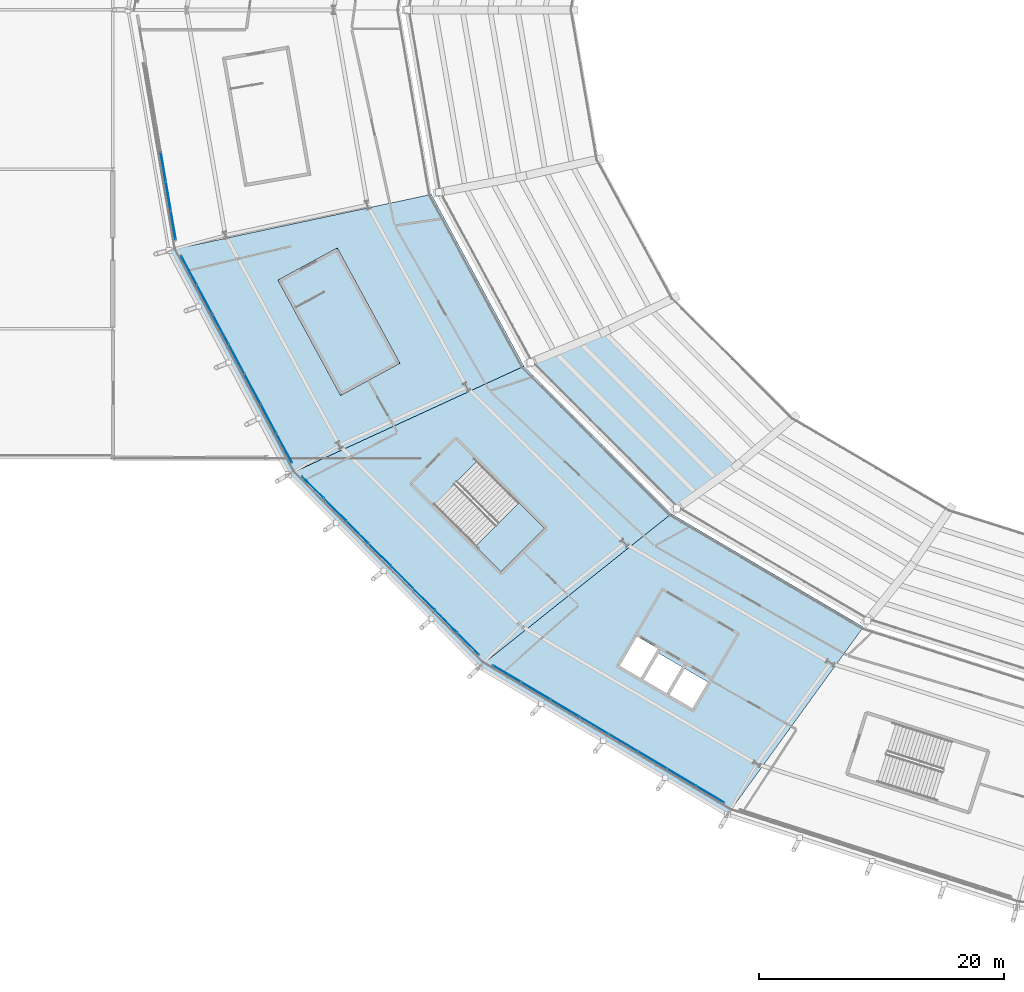
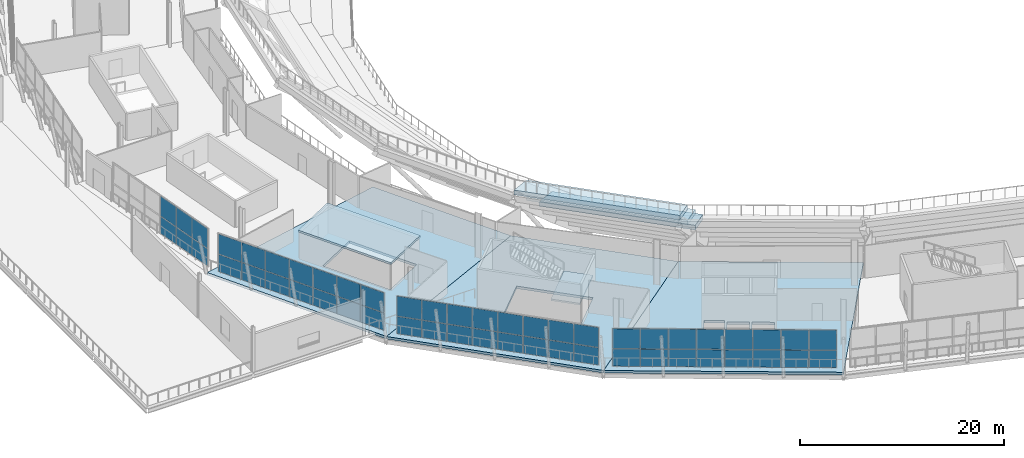
# One storey, part 62 of 126: 52 plates, 8 slabs, 5 elements without a shape of their own.
"""IFC4 building model written with IfcOpenShell, lengths in metres."""

from ifc_helpers import new_model, si_unit, direction, frame, origin, origin_2d, place, context, subcontext, project, spatial, polyline, rectangle, outline, extrude, material, layer, layer_set, type_object, element, aggregate, save


model = new_model("IFC4")

# Units and contexts
model_context = context("Model", 3, precision=1e-05, world=origin(), true_north=direction((0.0, 1.0)))
body_context = subcontext(model_context, "Body", "Model", "MODEL_VIEW")
ifc_project = project(units=[si_unit("LENGTHUNIT", "METRE"), si_unit("AREAUNIT", "SQUARE_METRE"), si_unit("VOLUMEUNIT", "CUBIC_METRE"), si_unit("PLANEANGLEUNIT", "RADIAN"), si_unit("MASSUNIT", "GRAM", prefix="KILO")], contexts=[model_context])

# Site, building, storey
site_placement = place(None, origin())
site = spatial("IfcSite", under=ifc_project, at=site_placement, CompositionType="ELEMENT")
building_placement = place(site_placement, origin())
building = spatial("IfcBuilding", under=site, at=building_placement, Name="Zlatoyarsky Gate Stadium", CompositionType="ELEMENT")
storey_placement = place(building_placement, frame((0.0, 0.0, 20.800048828125)))
storey = spatial("IfcBuildingStorey", under=building, at=storey_placement, Name="L04", CompositionType="ELEMENT", Elevation=20.800048828125)

# Curtain wall, plates
ifc_material_1 = material(Name="Thermally broken anodised aluminium curtain wall", Category="aluminium")
curtain_wall_type_1 = type_object("IfcCurtainWallType", Name="MONUMENTAL ARCHED GATE GLAZING LOWER", PredefinedType="USERDEFINED", material=ifc_material_1)
curtain_wall_1_placement = place(storey_placement, origin())
curtain_wall_1 = element("IfcCurtainWall", 1, at=curtain_wall_1_placement, inside=storey, type_object=curtain_wall_type_1, Name="Curtain wall CW-L04-12", ObjectType="ARCHED GATE GLAZING", PredefinedType="USERDEFINED")
ifc_material_2 = material(Name="Triple-glazed argon low-e architectural glass", Category="glass")
ifc_layer_1 = layer(ifc_material_2, 0.0458984375)
ifc_layer_set_1 = layer_set([ifc_layer_1], Name="Triple-glazed argon low-e architectural glass")
plate_type_1 = type_object("IfcPlateType", Name="ACOUSTIC LAMINATED GATE GLAZING PANEL 46", PredefinedType="CURTAIN_PANEL", material=ifc_layer_set_1)
plate_1_placement = place(storey_placement, frame((16.107421875, 67.212158203125, 0.074951171875), z_axis=(0.0, 0.0, 1.0), x_axis=(0.167822419114, -0.985817242516, 0.0)))
plate_1 = element("IfcPlate", 2, at=plate_1_placement, type_object=plate_type_1, Name="CW-AG1 panel 4.1", PredefinedType="CURTAIN_PANEL", context=body_context, shape_type="SweptSolid", body=[
    extrude(rectangle(XDim=2.35986328125, YDim=0.0458984375, at=origin_2d()), origin(), (0.0, 0.0, 1.0), 2.03759765625),
])
plate_2_placement = place(storey_placement, frame((16.107421875, 67.212158203125, 2.1875), z_axis=(0.0, 0.0, 1.0), x_axis=(0.167822419114, -0.985817242516, 0.0)))
plate_2 = element("IfcPlate", 3, at=plate_2_placement, type_object=plate_type_1, Name="CW-AG1 panel 4.2", PredefinedType="CURTAIN_PANEL", context=body_context, shape_type="SweptSolid", body=[
    extrude(rectangle(XDim=2.35986328125, YDim=0.0458984375, at=origin_2d()), origin(), (0.0, 0.0, 1.0), 2.357421875),
])
plate_3_placement = place(storey_placement, frame((16.515869140625, 64.811767578125, 0.074951171875), z_axis=(0.0, 0.0, 1.0), x_axis=(0.167822419114, -0.985817242516, 0.0)))
plate_3 = element("IfcPlate", 4, at=plate_3_placement, type_object=plate_type_1, Name="CW-AG1 panel 5.1", PredefinedType="CURTAIN_PANEL", context=body_context, shape_type="SweptSolid", body=[
    extrude(rectangle(XDim=2.35986328125, YDim=0.0458984375, at=origin_2d()), origin(), (0.0, 0.0, 1.0), 2.03759765625),
])
plate_4_placement = place(storey_placement, frame((16.515869140625, 64.811767578125, 2.1875), z_axis=(0.0, 0.0, 1.0), x_axis=(0.167822419114, -0.985817242516, 0.0)))
plate_4 = element("IfcPlate", 5, at=plate_4_placement, type_object=plate_type_1, Name="CW-AG1 panel 5.2", PredefinedType="CURTAIN_PANEL", context=body_context, shape_type="SweptSolid", body=[
    extrude(rectangle(XDim=2.35986328125, YDim=0.0458984375, at=origin_2d()), origin(), (0.0, 0.0, 1.0), 2.357421875),
])
plate_5_placement = place(storey_placement, frame((16.92138671875, 62.429931640625, 0.074951171875), z_axis=(0.0, 0.0, 1.0), x_axis=(0.167822419114, -0.985817242516, 0.0)))
plate_5 = element("IfcPlate", 6, at=plate_5_placement, type_object=plate_type_1, Name="CW-AG1 panel 6.1", PredefinedType="CURTAIN_PANEL", context=body_context, shape_type="SweptSolid", body=[
    extrude(rectangle(XDim=2.322265625, YDim=0.0458984375, at=origin_2d()), origin(), (0.0, 0.0, 1.0), 2.03759765625),
])
plate_6_placement = place(storey_placement, frame((16.92138671875, 62.429931640625, 2.1875), z_axis=(0.0, 0.0, 1.0), x_axis=(0.167822419114, -0.985817242516, 0.0)))
plate_6 = element("IfcPlate", 7, at=plate_6_placement, type_object=plate_type_1, Name="CW-AG1 panel 6.2", PredefinedType="CURTAIN_PANEL", context=body_context, shape_type="SweptSolid", body=[
    extrude(rectangle(XDim=2.322265625, YDim=0.0458984375, at=origin_2d()), origin(), (0.0, 0.0, 1.0), 2.357421875),
])
aggregate(curtain_wall_1, [plate_1, plate_2, plate_3, plate_4, plate_5, plate_6])

# Slabs
ifc_material_3 = material(Name="Concrete C40/50", Category="concrete")
ifc_layer_2 = layer(ifc_material_3, 0.300048828125)
ifc_layer_set_2 = layer_set([ifc_layer_2], Name="Concrete C40/50")
slab_type_1 = type_object("IfcSlabType", Name="CONCRETE CONCOURSE SLAB 300", PredefinedType="FLOOR", material=ifc_layer_set_2)
slab_1_placement = place(storey_placement, frame((0.0, 0.0, -0.300048828125)))
element("IfcSlab", 8, at=slab_1_placement, inside=storey, type_object=slab_type_1, Name="L04 bowl sector 13 slab", PredefinedType="FLOOR", context=body_context, shape_type="SweptSolid", body=[
    extrude(outline(polyline([(45.528564453125, 50.949951171875), (26.3291015625, 42.115234375), (16.561767578125, 60.389404296875), (37.97607421875, 64.962646484375), (45.528564453125, 50.949951171875)]), holes=[polyline([(26.969482421875, 55.712646484375), (30.66552734375, 48.90087890625), (35.060302734375, 51.28515625), (31.364501953125, 58.09716796875), (26.969482421875, 55.712646484375)])]), origin(), (0.0, 0.0, 1.0), 0.300048828125),
])
slab_2_placement = place(storey_placement, frame((0.0, 0.0, -0.300048828125)))
element("IfcSlab", 9, at=slab_2_placement, inside=storey, type_object=slab_type_1, Name="L04 bowl sector 14 slab", PredefinedType="FLOOR", context=body_context, shape_type="SweptSolid", body=[
    extrude(outline(polyline([(57.542724609375, 38.9169921875), (41.866455078125, 26.4228515625), (26.3291015625, 42.115234375), (45.528564453125, 50.949951171875), (57.542724609375, 38.9169921875)]), holes=[polyline([(38.171875, 39.652587890625), (43.665771484375, 34.1865234375), (47.1923828125, 37.731201171875), (41.6982421875, 43.197265625), (38.171875, 39.652587890625)])]), origin(), (0.0, 0.0, 1.0), 0.300048828125),
])
slab_3_placement = place(storey_placement, frame((0.0, 0.0, -0.300048828125)))
element("IfcSlab", 10, at=slab_3_placement, inside=storey, type_object=slab_type_1, Name="L04 bowl sector 15 slab", PredefinedType="FLOOR", context=body_context, shape_type="SweptSolid", body=[
    extrude(outline(polyline([(73.199951171875, 29.683837890625), (62.115234375, 14.381591796875), (41.866455078125, 26.4228515625), (57.542724609375, 38.9169921875), (73.199951171875, 29.683837890625)]), holes=[polyline([(57.36669921875, 24.13818359375), (59.264892578125, 23.0263671875), (60.528564453125, 25.183349609375), (58.63037109375, 26.29541015625), (57.36669921875, 24.13818359375)]), polyline([(55.252685546875, 25.376708984375), (57.15087890625, 24.2646484375), (58.41455078125, 26.421875), (56.516357421875, 27.53369140625), (55.252685546875, 25.376708984375)]), polyline([(53.311279296875, 26.513916015625), (55.037109375, 25.5029296875), (56.452392578125, 27.9189453125), (54.7265625, 28.929931640625), (53.311279296875, 26.513916015625)])]), origin(), (0.0, 0.0, 1.0), 0.300048828125),
])
ifc_layer_3 = layer(ifc_material_3, 0.239990234375)
ifc_layer_set_3 = layer_set([ifc_layer_3], Name="Concrete C40/50")
slab_type_2 = type_object("IfcSlabType", Name="CONCRETE CORE TOP CAP SLAB 240", PredefinedType="ROOF", material=ifc_layer_set_3)
slab_4_placement = place(storey_placement, frame((0.0, 0.0, 3.199951171875)))
element("IfcSlab", 11, at=slab_4_placement, inside=storey, type_object=slab_type_2, Name="ST-15 stair headhouse roof cap", PredefinedType="ROOF", context=body_context, shape_type="SweptSolid", body=[
    extrude(outline(polyline([(25.462158203125, 57.966796875), (30.56494140625, 48.561767578125), (35.399169921875, 51.184814453125), (30.296630859375, 60.589599609375), (25.462158203125, 57.966796875)])), origin(), (0.0, 0.0, 1.0), 0.239990234375),
])

# Stair, slab
stair_type = type_object("IfcStairType", Name="CONCRETE DOGLEG EXIT STAIR H5400", PredefinedType="TWO_STRAIGHT_RUN_STAIR", material=ifc_material_3)
stair_placement = place(storey_placement, origin())
stair = element("IfcStair", 12, at=stair_placement, inside=storey, type_object=stair_type, Name="L04 Exit Stair ST-08", PredefinedType="TWO_STRAIGHT_RUN_STAIR")
ifc_layer_4 = layer(ifc_material_3, 0.199951171875)
ifc_layer_set_4 = layer_set([ifc_layer_4], Name="Concrete C40/50")
slab_type_3 = type_object("IfcSlabType", Name="CONCRETE STAIR LANDING SLAB 200", PredefinedType="LANDING", material=ifc_layer_set_4)
slab_5_placement = place(storey_placement, frame((0.0, 0.0, 2.5)))
slab_5 = element("IfcSlab", 13, at=slab_5_placement, type_object=slab_type_3, Name="ST-DG54 landing 1", PredefinedType="LANDING", context=body_context, shape_type="SweptSolid", body=[
    extrude(outline(polyline([(41.574462890625, 36.267333984375), (43.665771484375, 34.1865234375), (47.1923828125, 37.73095703125), (45.10107421875, 39.811767578125), (41.574462890625, 36.267333984375)])), origin(), (0.0, 0.0, 1.0), 0.199951171875),
])
aggregate(stair, [slab_5])

# Slabs
ifc_material_4 = material(Name="Precast concrete C40/50", Category="concrete")
ifc_layer_5 = layer(ifc_material_4, 0.56005859375)
ifc_layer_set_5 = layer_set([ifc_layer_5], Name="Precast concrete C40/50")
slab_type_4 = type_object("IfcSlabType", Name="PRECAST UPPER SEATING TIER UNIT 560", PredefinedType="USERDEFINED", material=ifc_layer_set_5)
slab_6_placement = place(storey_placement, frame((0.0, 0.0, 0.739990234375)))
element("IfcSlab", 14, at=slab_6_placement, inside=storey, type_object=slab_type_4, Name="Upper seating tier sector 14 row 4", ObjectType="SEATING TIER", PredefinedType="USERDEFINED", context=body_context, shape_type="SweptSolid", body=[
    extrude(outline(polyline([(51.893798828125, 53.875), (49.9453125, 53.0), (61.14892578125, 41.816162109375), (62.739990234375, 43.0537109375), (51.893798828125, 53.875)])), origin(), (0.0, 0.0, 1.0), 0.56005859375),
])
slab_7_placement = place(storey_placement, frame((0.0, 0.0, 2.639892578125)))
element("IfcSlab", 15, at=slab_7_placement, inside=storey, type_object=slab_type_4, Name="Upper seating tier sector 14 row 5", ObjectType="SEATING TIER", PredefinedType="USERDEFINED", context=body_context, shape_type="SweptSolid", body=[
    extrude(outline(polyline([(49.9453125, 53.0), (47.99658203125, 52.125), (59.55810546875, 40.578857421875), (61.14892578125, 41.816162109375), (49.9453125, 53.0)])), origin(), (0.0, 0.0, 1.0), 0.56005859375),
])
slab_8_placement = place(storey_placement, frame((0.0, 0.0, 4.5400390625)))
element("IfcSlab", 16, at=slab_8_placement, inside=storey, type_object=slab_type_4, Name="Upper seating tier sector 14 row 6", ObjectType="SEATING TIER", PredefinedType="USERDEFINED", context=body_context, shape_type="SweptSolid", body=[
    extrude(outline(polyline([(47.99658203125, 52.125), (46.048095703125, 51.25), (57.967041015625, 39.34130859375), (59.55810546875, 40.578857421875), (47.99658203125, 52.125)])), origin(), (0.0, 0.0, 1.0), 0.559814453125),
])

# Curtain wall, plates
curtain_wall_type_2 = type_object("IfcCurtainWallType", Name="UNITISED MEDIA RING GLAZING L04", PredefinedType="USERDEFINED", material=ifc_material_1)
curtain_wall_2_placement = place(storey_placement, origin())
curtain_wall_2 = element("IfcCurtainWall", 17, at=curtain_wall_2_placement, inside=storey, type_object=curtain_wall_type_2, Name="Curtain wall CW-L04-13", ObjectType="UNITISED GLAZING", PredefinedType="USERDEFINED")
ifc_layer_6 = layer(ifc_material_2, 0.0380859375)
ifc_layer_set_6 = layer_set([ifc_layer_6], Name="Triple-glazed argon low-e architectural glass")
plate_type_2 = type_object("IfcPlateType", Name="TRIPLE GLAZED LOW E CURTAIN PANEL 38", PredefinedType="CURTAIN_PANEL", material=ifc_layer_set_6)
plate_7_placement = place(storey_placement, frame((18.201416015625, 58.77197265625, 0.06494140625), z_axis=(0.0, 0.0, 1.0), x_axis=(0.472144962966, -0.881520920878, 0.0)))
plate_7 = element("IfcPlate", 18, at=plate_7_placement, type_object=plate_type_2, Name="CW-UG4 panel 1.1", PredefinedType="CURTAIN_PANEL", context=body_context, shape_type="SweptSolid", body=[
    extrude(rectangle(XDim=2.65087890625, YDim=0.0380859375, at=origin_2d()), origin(), (0.0, 0.0, 1.0), 2.052490234375),
])
plate_8_placement = place(storey_placement, frame((18.201416015625, 58.77197265625, 2.182373046875), z_axis=(0.0, 0.0, 1.0), x_axis=(0.472144962966, -0.881520920878, 0.0)))
plate_8 = element("IfcPlate", 19, at=plate_8_placement, type_object=plate_type_2, Name="CW-UG4 panel 1.2", PredefinedType="CURTAIN_PANEL", context=body_context, shape_type="SweptSolid", body=[
    extrude(rectangle(XDim=2.65087890625, YDim=0.0380859375, at=origin_2d()), origin(), (0.0, 0.0, 1.0), 2.37255859375),
])
plate_9_placement = place(storey_placement, frame((19.491455078125, 56.363525390625, 0.06494140625), z_axis=(0.0, 0.0, 1.0), x_axis=(0.472144962966, -0.881520920878, 0.0)))
plate_9 = element("IfcPlate", 20, at=plate_9_placement, type_object=plate_type_2, Name="CW-UG4 panel 2.1", PredefinedType="CURTAIN_PANEL", context=body_context, shape_type="SweptSolid", body=[
    extrude(rectangle(XDim=2.683349609375, YDim=0.0380859375, at=origin_2d()), origin(), (0.0, 0.0, 1.0), 2.052490234375),
])
plate_10_placement = place(storey_placement, frame((19.491455078125, 56.363525390625, 2.182373046875), z_axis=(0.0, 0.0, 1.0), x_axis=(0.472144962966, -0.881520920878, 0.0)))
plate_10 = element("IfcPlate", 21, at=plate_10_placement, type_object=plate_type_2, Name="CW-UG4 panel 2.2", PredefinedType="CURTAIN_PANEL", context=body_context, shape_type="SweptSolid", body=[
    extrude(rectangle(XDim=2.683349609375, YDim=0.0380859375, at=origin_2d()), origin(), (0.0, 0.0, 1.0), 2.37255859375),
])
plate_11_placement = place(storey_placement, frame((20.7890625, 53.940673828125, 0.06494140625), z_axis=(0.0, 0.0, 1.0), x_axis=(0.472144962966, -0.881520920878, 0.0)))
plate_11 = element("IfcPlate", 22, at=plate_11_placement, type_object=plate_type_2, Name="CW-UG4 panel 3.1", PredefinedType="CURTAIN_PANEL", context=body_context, shape_type="SweptSolid", body=[
    extrude(rectangle(XDim=2.683349609375, YDim=0.0380859375, at=origin_2d()), origin(), (0.0, 0.0, 1.0), 2.052490234375),
])
plate_12_placement = place(storey_placement, frame((20.7890625, 53.940673828125, 2.182373046875), z_axis=(0.0, 0.0, 1.0), x_axis=(0.472144962966, -0.881520920878, 0.0)))
plate_12 = element("IfcPlate", 23, at=plate_12_placement, type_object=plate_type_2, Name="CW-UG4 panel 3.2", PredefinedType="CURTAIN_PANEL", context=body_context, shape_type="SweptSolid", body=[
    extrude(rectangle(XDim=2.683349609375, YDim=0.0380859375, at=origin_2d()), origin(), (0.0, 0.0, 1.0), 2.37255859375),
])
plate_13_placement = place(storey_placement, frame((22.086669921875, 51.517822265625, 0.06494140625), z_axis=(0.0, 0.0, 1.0), x_axis=(0.472144962966, -0.881520920878, 0.0)))
plate_13 = element("IfcPlate", 24, at=plate_13_placement, type_object=plate_type_2, Name="CW-UG4 panel 4.1", PredefinedType="CURTAIN_PANEL", context=body_context, shape_type="SweptSolid", body=[
    extrude(rectangle(XDim=2.683349609375, YDim=0.0380859375, at=origin_2d()), origin(), (0.0, 0.0, 1.0), 2.052490234375),
])
plate_14_placement = place(storey_placement, frame((22.086669921875, 51.517822265625, 2.182373046875), z_axis=(0.0, 0.0, 1.0), x_axis=(0.472144962966, -0.881520920878, 0.0)))
plate_14 = element("IfcPlate", 25, at=plate_14_placement, type_object=plate_type_2, Name="CW-UG4 panel 4.2", PredefinedType="CURTAIN_PANEL", context=body_context, shape_type="SweptSolid", body=[
    extrude(rectangle(XDim=2.683349609375, YDim=0.0380859375, at=origin_2d()), origin(), (0.0, 0.0, 1.0), 2.37255859375),
])
plate_15_placement = place(storey_placement, frame((23.38427734375, 49.09521484375, 0.06494140625), z_axis=(0.0, 0.0, 1.0), x_axis=(0.472144962966, -0.881520920878, 0.0)))
plate_15 = element("IfcPlate", 26, at=plate_15_placement, type_object=plate_type_2, Name="CW-UG4 panel 5.1", PredefinedType="CURTAIN_PANEL", context=body_context, shape_type="SweptSolid", body=[
    extrude(rectangle(XDim=2.683349609375, YDim=0.0380859375, at=origin_2d()), origin(), (0.0, 0.0, 1.0), 2.052490234375),
])
plate_16_placement = place(storey_placement, frame((23.38427734375, 49.09521484375, 2.182373046875), z_axis=(0.0, 0.0, 1.0), x_axis=(0.472144962966, -0.881520920878, 0.0)))
plate_16 = element("IfcPlate", 27, at=plate_16_placement, type_object=plate_type_2, Name="CW-UG4 panel 5.2", PredefinedType="CURTAIN_PANEL", context=body_context, shape_type="SweptSolid", body=[
    extrude(rectangle(XDim=2.683349609375, YDim=0.0380859375, at=origin_2d()), origin(), (0.0, 0.0, 1.0), 2.37255859375),
])
plate_17_placement = place(storey_placement, frame((24.681884765625, 46.67236328125, 0.06494140625), z_axis=(0.0, 0.0, 1.0), x_axis=(0.472144962966, -0.881520920878, 0.0)))
plate_17 = element("IfcPlate", 28, at=plate_17_placement, type_object=plate_type_2, Name="CW-UG4 panel 6.1", PredefinedType="CURTAIN_PANEL", context=body_context, shape_type="SweptSolid", body=[
    extrude(rectangle(XDim=2.683349609375, YDim=0.0380859375, at=origin_2d()), origin(), (0.0, 0.0, 1.0), 2.052490234375),
])
plate_18_placement = place(storey_placement, frame((24.681884765625, 46.67236328125, 2.182373046875), z_axis=(0.0, 0.0, 1.0), x_axis=(0.472144962966, -0.881520920878, 0.0)))
plate_18 = element("IfcPlate", 29, at=plate_18_placement, type_object=plate_type_2, Name="CW-UG4 panel 6.2", PredefinedType="CURTAIN_PANEL", context=body_context, shape_type="SweptSolid", body=[
    extrude(rectangle(XDim=2.683349609375, YDim=0.0380859375, at=origin_2d()), origin(), (0.0, 0.0, 1.0), 2.37255859375),
])
plate_19_placement = place(storey_placement, frame((25.971923828125, 44.263916015625, 0.06494140625), z_axis=(0.0, 0.0, 1.0), x_axis=(0.472144962966, -0.881520920878, 0.0)))
plate_19 = element("IfcPlate", 30, at=plate_19_placement, type_object=plate_type_2, Name="CW-UG4 panel 7.1", PredefinedType="CURTAIN_PANEL", context=body_context, shape_type="SweptSolid", body=[
    extrude(rectangle(XDim=2.65087890625, YDim=0.0380859375, at=origin_2d()), origin(), (0.0, 0.0, 1.0), 2.052490234375),
])
plate_20_placement = place(storey_placement, frame((25.971923828125, 44.263916015625, 2.182373046875), z_axis=(0.0, 0.0, 1.0), x_axis=(0.472144962966, -0.881520920878, 0.0)))
plate_20 = element("IfcPlate", 31, at=plate_20_placement, type_object=plate_type_2, Name="CW-UG4 panel 7.2", PredefinedType="CURTAIN_PANEL", context=body_context, shape_type="SweptSolid", body=[
    extrude(rectangle(XDim=2.65087890625, YDim=0.0380859375, at=origin_2d()), origin(), (0.0, 0.0, 1.0), 2.37255859375),
])
aggregate(curtain_wall_2, [plate_7, plate_8, plate_9, plate_10, plate_11, plate_12, plate_13, plate_14, plate_15, plate_16, plate_17, plate_18, plate_19, plate_20])

curtain_wall_3_placement = place(storey_placement, origin())
curtain_wall_3 = element("IfcCurtainWall", 32, at=curtain_wall_3_placement, inside=storey, type_object=curtain_wall_type_2, Name="Curtain wall CW-L04-14", ObjectType="UNITISED GLAZING", PredefinedType="USERDEFINED")
plate_21_placement = place(storey_placement, frame((28.3115234375, 41.078125, 0.06494140625), z_axis=(0.0, 0.0, 1.0), x_axis=(0.704332181269, -0.709870536386, 0.0)))
plate_21 = element("IfcPlate", 33, at=plate_21_placement, type_object=plate_type_2, Name="CW-UG4 panel 1.1", PredefinedType="CURTAIN_PANEL", context=body_context, shape_type="SweptSolid", body=[
    extrude(rectangle(XDim=2.477783203125, YDim=0.0380859375, at=origin_2d()), origin(), (0.0, 0.0, 1.0), 2.052490234375),
])
plate_22_placement = place(storey_placement, frame((28.3115234375, 41.078125, 2.182373046875), z_axis=(0.0, 0.0, 1.0), x_axis=(0.704332181269, -0.709870536386, 0.0)))
plate_22 = element("IfcPlate", 34, at=plate_22_placement, type_object=plate_type_2, Name="CW-UG4 panel 1.2", PredefinedType="CURTAIN_PANEL", context=body_context, shape_type="SweptSolid", body=[
    extrude(rectangle(XDim=2.477783203125, YDim=0.0380859375, at=origin_2d()), origin(), (0.0, 0.0, 1.0), 2.37255859375),
])
plate_23_placement = place(storey_placement, frame((30.11376953125, 39.26171875, 0.06494140625), z_axis=(0.0, 0.0, 1.0), x_axis=(0.704332181269, -0.709870536386, 0.0)))
plate_23 = element("IfcPlate", 35, at=plate_23_placement, type_object=plate_type_2, Name="CW-UG4 panel 2.1", PredefinedType="CURTAIN_PANEL", context=body_context, shape_type="SweptSolid", body=[
    extrude(rectangle(XDim=2.51025390625, YDim=0.0380859375, at=origin_2d()), origin(), (0.0, 0.0, 1.0), 2.052490234375),
])
plate_24_placement = place(storey_placement, frame((30.11376953125, 39.26171875, 2.182373046875), z_axis=(0.0, 0.0, 1.0), x_axis=(0.704332181269, -0.709870536386, 0.0)))
plate_24 = element("IfcPlate", 36, at=plate_24_placement, type_object=plate_type_2, Name="CW-UG4 panel 2.2", PredefinedType="CURTAIN_PANEL", context=body_context, shape_type="SweptSolid", body=[
    extrude(rectangle(XDim=2.51025390625, YDim=0.0380859375, at=origin_2d()), origin(), (0.0, 0.0, 1.0), 2.37255859375),
])
plate_25_placement = place(storey_placement, frame((31.927734375, 37.43359375, 0.06494140625), z_axis=(0.0, 0.0, 1.0), x_axis=(0.704332181269, -0.709870536386, 0.0)))
plate_25 = element("IfcPlate", 37, at=plate_25_placement, type_object=plate_type_2, Name="CW-UG4 panel 3.1", PredefinedType="CURTAIN_PANEL", context=body_context, shape_type="SweptSolid", body=[
    extrude(rectangle(XDim=2.51025390625, YDim=0.0380859375, at=origin_2d()), origin(), (0.0, 0.0, 1.0), 2.052490234375),
])
plate_26_placement = place(storey_placement, frame((31.927734375, 37.43359375, 2.182373046875), z_axis=(0.0, 0.0, 1.0), x_axis=(0.704332181269, -0.709870536386, 0.0)))
plate_26 = element("IfcPlate", 38, at=plate_26_placement, type_object=plate_type_2, Name="CW-UG4 panel 3.2", PredefinedType="CURTAIN_PANEL", context=body_context, shape_type="SweptSolid", body=[
    extrude(rectangle(XDim=2.51025390625, YDim=0.0380859375, at=origin_2d()), origin(), (0.0, 0.0, 1.0), 2.37255859375),
])
plate_27_placement = place(storey_placement, frame((33.741455078125, 35.60546875, 0.06494140625), z_axis=(0.0, 0.0, 1.0), x_axis=(0.704332181269, -0.709870536386, 0.0)))
plate_27 = element("IfcPlate", 39, at=plate_27_placement, type_object=plate_type_2, Name="CW-UG4 panel 4.1", PredefinedType="CURTAIN_PANEL", context=body_context, shape_type="SweptSolid", body=[
    extrude(rectangle(XDim=2.51025390625, YDim=0.0380859375, at=origin_2d()), origin(), (0.0, 0.0, 1.0), 2.052490234375),
])
plate_28_placement = place(storey_placement, frame((33.741455078125, 35.60546875, 2.182373046875), z_axis=(0.0, 0.0, 1.0), x_axis=(0.704332181269, -0.709870536386, 0.0)))
plate_28 = element("IfcPlate", 40, at=plate_28_placement, type_object=plate_type_2, Name="CW-UG4 panel 4.2", PredefinedType="CURTAIN_PANEL", context=body_context, shape_type="SweptSolid", body=[
    extrude(rectangle(XDim=2.51025390625, YDim=0.0380859375, at=origin_2d()), origin(), (0.0, 0.0, 1.0), 2.37255859375),
])
plate_29_placement = place(storey_placement, frame((35.55517578125, 33.77734375, 0.06494140625), z_axis=(0.0, 0.0, 1.0), x_axis=(0.704332181269, -0.709870536386, 0.0)))
plate_29 = element("IfcPlate", 41, at=plate_29_placement, type_object=plate_type_2, Name="CW-UG4 panel 5.1", PredefinedType="CURTAIN_PANEL", context=body_context, shape_type="SweptSolid", body=[
    extrude(rectangle(XDim=2.51025390625, YDim=0.0380859375, at=origin_2d()), origin(), (0.0, 0.0, 1.0), 2.052490234375),
])
plate_30_placement = place(storey_placement, frame((35.55517578125, 33.77734375, 2.182373046875), z_axis=(0.0, 0.0, 1.0), x_axis=(0.704332181269, -0.709870536386, 0.0)))
plate_30 = element("IfcPlate", 42, at=plate_30_placement, type_object=plate_type_2, Name="CW-UG4 panel 5.2", PredefinedType="CURTAIN_PANEL", context=body_context, shape_type="SweptSolid", body=[
    extrude(rectangle(XDim=2.51025390625, YDim=0.0380859375, at=origin_2d()), origin(), (0.0, 0.0, 1.0), 2.37255859375),
])
plate_31_placement = place(storey_placement, frame((37.369140625, 31.949462890625, 0.06494140625), z_axis=(0.0, 0.0, 1.0), x_axis=(0.704332181269, -0.709870536386, 0.0)))
plate_31 = element("IfcPlate", 43, at=plate_31_placement, type_object=plate_type_2, Name="CW-UG4 panel 6.1", PredefinedType="CURTAIN_PANEL", context=body_context, shape_type="SweptSolid", body=[
    extrude(rectangle(XDim=2.51025390625, YDim=0.0380859375, at=origin_2d()), origin(), (0.0, 0.0, 1.0), 2.052490234375),
])
plate_32_placement = place(storey_placement, frame((37.369140625, 31.949462890625, 2.182373046875), z_axis=(0.0, 0.0, 1.0), x_axis=(0.704332181269, -0.709870536386, 0.0)))
plate_32 = element("IfcPlate", 44, at=plate_32_placement, type_object=plate_type_2, Name="CW-UG4 panel 6.2", PredefinedType="CURTAIN_PANEL", context=body_context, shape_type="SweptSolid", body=[
    extrude(rectangle(XDim=2.51025390625, YDim=0.0380859375, at=origin_2d()), origin(), (0.0, 0.0, 1.0), 2.37255859375),
])
plate_33_placement = place(storey_placement, frame((39.182861328125, 30.121337890625, 0.06494140625), z_axis=(0.0, 0.0, 1.0), x_axis=(0.704332181269, -0.709870536386, 0.0)))
plate_33 = element("IfcPlate", 45, at=plate_33_placement, type_object=plate_type_2, Name="CW-UG4 panel 7.1", PredefinedType="CURTAIN_PANEL", context=body_context, shape_type="SweptSolid", body=[
    extrude(rectangle(XDim=2.51025390625, YDim=0.0380859375, at=origin_2d()), origin(), (0.0, 0.0, 1.0), 2.052490234375),
])
plate_34_placement = place(storey_placement, frame((39.182861328125, 30.121337890625, 2.182373046875), z_axis=(0.0, 0.0, 1.0), x_axis=(0.704332181269, -0.709870536386, 0.0)))
plate_34 = element("IfcPlate", 46, at=plate_34_placement, type_object=plate_type_2, Name="CW-UG4 panel 7.2", PredefinedType="CURTAIN_PANEL", context=body_context, shape_type="SweptSolid", body=[
    extrude(rectangle(XDim=2.51025390625, YDim=0.0380859375, at=origin_2d()), origin(), (0.0, 0.0, 1.0), 2.37255859375),
])
plate_35_placement = place(storey_placement, frame((40.9853515625, 28.3046875, 0.06494140625), z_axis=(0.0, 0.0, 1.0), x_axis=(0.704332181269, -0.709870536386, 0.0)))
plate_35 = element("IfcPlate", 47, at=plate_35_placement, type_object=plate_type_2, Name="CW-UG4 panel 8.1", PredefinedType="CURTAIN_PANEL", context=body_context, shape_type="SweptSolid", body=[
    extrude(rectangle(XDim=2.477783203125, YDim=0.0380859375, at=origin_2d()), origin(), (0.0, 0.0, 1.0), 2.052490234375),
])
plate_36_placement = place(storey_placement, frame((40.9853515625, 28.3046875, 2.182373046875), z_axis=(0.0, 0.0, 1.0), x_axis=(0.704332181269, -0.709870536386, 0.0)))
plate_36 = element("IfcPlate", 48, at=plate_36_placement, type_object=plate_type_2, Name="CW-UG4 panel 8.2", PredefinedType="CURTAIN_PANEL", context=body_context, shape_type="SweptSolid", body=[
    extrude(rectangle(XDim=2.477783203125, YDim=0.0380859375, at=origin_2d()), origin(), (0.0, 0.0, 1.0), 2.37255859375),
])
aggregate(curtain_wall_3, [plate_21, plate_22, plate_23, plate_24, plate_25, plate_26, plate_27, plate_28, plate_29, plate_30, plate_31, plate_32, plate_33, plate_34, plate_35, plate_36])

curtain_wall_4_placement = place(storey_placement, origin())
curtain_wall_4 = element("IfcCurtainWall", 49, at=curtain_wall_4_placement, inside=storey, type_object=curtain_wall_type_2, Name="Curtain wall CW-L04-15", ObjectType="UNITISED GLAZING", PredefinedType="USERDEFINED")
plate_37_placement = place(storey_placement, frame((44.12109375, 25.87353515625, 0.06494140625), z_axis=(0.0, 0.0, 1.0), x_axis=(0.859978374713, -0.510330476285, 0.0)))
plate_37 = element("IfcPlate", 50, at=plate_37_placement, type_object=plate_type_2, Name="CW-UG4 panel 1.1", PredefinedType="CURTAIN_PANEL", context=body_context, shape_type="SweptSolid", body=[
    extrude(rectangle(XDim=2.662109375, YDim=0.0380859375, at=origin_2d()), origin(), (0.0, 0.0, 1.0), 2.052490234375),
])
plate_38_placement = place(storey_placement, frame((44.12109375, 25.87353515625, 2.182373046875), z_axis=(0.0, 0.0, 1.0), x_axis=(0.859978374713, -0.510330476285, 0.0)))
plate_38 = element("IfcPlate", 51, at=plate_38_placement, type_object=plate_type_2, Name="CW-UG4 panel 1.2", PredefinedType="CURTAIN_PANEL", context=body_context, shape_type="SweptSolid", body=[
    extrude(rectangle(XDim=2.662109375, YDim=0.0380859375, at=origin_2d()), origin(), (0.0, 0.0, 1.0), 2.37255859375),
])
plate_39_placement = place(storey_placement, frame((46.480224609375, 24.4736328125, 0.06494140625), z_axis=(0.0, 0.0, 1.0), x_axis=(0.859978374713, -0.510330476285, 0.0)))
plate_39 = element("IfcPlate", 52, at=plate_39_placement, type_object=plate_type_2, Name="CW-UG4 panel 2.1", PredefinedType="CURTAIN_PANEL", context=body_context, shape_type="SweptSolid", body=[
    extrude(rectangle(XDim=2.694580078125, YDim=0.0380859375, at=origin_2d()), origin(), (0.0, 0.0, 1.0), 2.052490234375),
])
plate_40_placement = place(storey_placement, frame((46.480224609375, 24.4736328125, 2.182373046875), z_axis=(0.0, 0.0, 1.0), x_axis=(0.859978374713, -0.510330476285, 0.0)))
plate_40 = element("IfcPlate", 53, at=plate_40_placement, type_object=plate_type_2, Name="CW-UG4 panel 2.2", PredefinedType="CURTAIN_PANEL", context=body_context, shape_type="SweptSolid", body=[
    extrude(rectangle(XDim=2.694580078125, YDim=0.0380859375, at=origin_2d()), origin(), (0.0, 0.0, 1.0), 2.37255859375),
])
plate_41_placement = place(storey_placement, frame((48.853515625, 23.065185546875, 0.06494140625), z_axis=(0.0, 0.0, 1.0), x_axis=(0.859978374713, -0.510330476285, 0.0)))
plate_41 = element("IfcPlate", 54, at=plate_41_placement, type_object=plate_type_2, Name="CW-UG4 panel 3.1", PredefinedType="CURTAIN_PANEL", context=body_context, shape_type="SweptSolid", body=[
    extrude(rectangle(XDim=2.694580078125, YDim=0.0380859375, at=origin_2d()), origin(), (0.0, 0.0, 1.0), 2.052490234375),
])
plate_42_placement = place(storey_placement, frame((48.853515625, 23.065185546875, 2.182373046875), z_axis=(0.0, 0.0, 1.0), x_axis=(0.859978374713, -0.510330476285, 0.0)))
plate_42 = element("IfcPlate", 55, at=plate_42_placement, type_object=plate_type_2, Name="CW-UG4 panel 3.2", PredefinedType="CURTAIN_PANEL", context=body_context, shape_type="SweptSolid", body=[
    extrude(rectangle(XDim=2.694580078125, YDim=0.0380859375, at=origin_2d()), origin(), (0.0, 0.0, 1.0), 2.37255859375),
])
plate_43_placement = place(storey_placement, frame((51.226806640625, 21.656982421875, 0.06494140625), z_axis=(0.0, 0.0, 1.0), x_axis=(0.859978374713, -0.510330476285, 0.0)))
plate_43 = element("IfcPlate", 56, at=plate_43_placement, type_object=plate_type_2, Name="CW-UG4 panel 4.1", PredefinedType="CURTAIN_PANEL", context=body_context, shape_type="SweptSolid", body=[
    extrude(rectangle(XDim=2.694580078125, YDim=0.0380859375, at=origin_2d()), origin(), (0.0, 0.0, 1.0), 2.052490234375),
])
plate_44_placement = place(storey_placement, frame((51.226806640625, 21.656982421875, 2.182373046875), z_axis=(0.0, 0.0, 1.0), x_axis=(0.859978374713, -0.510330476285, 0.0)))
plate_44 = element("IfcPlate", 57, at=plate_44_placement, type_object=plate_type_2, Name="CW-UG4 panel 4.2", PredefinedType="CURTAIN_PANEL", context=body_context, shape_type="SweptSolid", body=[
    extrude(rectangle(XDim=2.694580078125, YDim=0.0380859375, at=origin_2d()), origin(), (0.0, 0.0, 1.0), 2.37255859375),
])
plate_45_placement = place(storey_placement, frame((53.599853515625, 20.24853515625, 0.06494140625), z_axis=(0.0, 0.0, 1.0), x_axis=(0.859978374713, -0.510330476285, 0.0)))
plate_45 = element("IfcPlate", 58, at=plate_45_placement, type_object=plate_type_2, Name="CW-UG4 panel 5.1", PredefinedType="CURTAIN_PANEL", context=body_context, shape_type="SweptSolid", body=[
    extrude(rectangle(XDim=2.694580078125, YDim=0.0380859375, at=origin_2d()), origin(), (0.0, 0.0, 1.0), 2.052490234375),
])
plate_46_placement = place(storey_placement, frame((53.599853515625, 20.24853515625, 2.182373046875), z_axis=(0.0, 0.0, 1.0), x_axis=(0.859978374713, -0.510330476285, 0.0)))
plate_46 = element("IfcPlate", 59, at=plate_46_placement, type_object=plate_type_2, Name="CW-UG4 panel 5.2", PredefinedType="CURTAIN_PANEL", context=body_context, shape_type="SweptSolid", body=[
    extrude(rectangle(XDim=2.694580078125, YDim=0.0380859375, at=origin_2d()), origin(), (0.0, 0.0, 1.0), 2.37255859375),
])
plate_47_placement = place(storey_placement, frame((55.97314453125, 18.84033203125, 0.06494140625), z_axis=(0.0, 0.0, 1.0), x_axis=(0.859978374713, -0.510330476285, 0.0)))
plate_47 = element("IfcPlate", 60, at=plate_47_placement, type_object=plate_type_2, Name="CW-UG4 panel 6.1", PredefinedType="CURTAIN_PANEL", context=body_context, shape_type="SweptSolid", body=[
    extrude(rectangle(XDim=2.694580078125, YDim=0.0380859375, at=origin_2d()), origin(), (0.0, 0.0, 1.0), 2.052490234375),
])
plate_48_placement = place(storey_placement, frame((55.97314453125, 18.84033203125, 2.182373046875), z_axis=(0.0, 0.0, 1.0), x_axis=(0.859978374713, -0.510330476285, 0.0)))
plate_48 = element("IfcPlate", 61, at=plate_48_placement, type_object=plate_type_2, Name="CW-UG4 panel 6.2", PredefinedType="CURTAIN_PANEL", context=body_context, shape_type="SweptSolid", body=[
    extrude(rectangle(XDim=2.694580078125, YDim=0.0380859375, at=origin_2d()), origin(), (0.0, 0.0, 1.0), 2.37255859375),
])
plate_49_placement = place(storey_placement, frame((58.346435546875, 17.431884765625, 0.06494140625), z_axis=(0.0, 0.0, 1.0), x_axis=(0.859978374713, -0.510330476285, 0.0)))
plate_49 = element("IfcPlate", 62, at=plate_49_placement, type_object=plate_type_2, Name="CW-UG4 panel 7.1", PredefinedType="CURTAIN_PANEL", context=body_context, shape_type="SweptSolid", body=[
    extrude(rectangle(XDim=2.694580078125, YDim=0.0380859375, at=origin_2d()), origin(), (0.0, 0.0, 1.0), 2.052490234375),
])
plate_50_placement = place(storey_placement, frame((58.346435546875, 17.431884765625, 2.182373046875), z_axis=(0.0, 0.0, 1.0), x_axis=(0.859978374713, -0.510330476285, 0.0)))
plate_50 = element("IfcPlate", 63, at=plate_50_placement, type_object=plate_type_2, Name="CW-UG4 panel 7.2", PredefinedType="CURTAIN_PANEL", context=body_context, shape_type="SweptSolid", body=[
    extrude(rectangle(XDim=2.694580078125, YDim=0.0380859375, at=origin_2d()), origin(), (0.0, 0.0, 1.0), 2.37255859375),
])
plate_51_placement = place(storey_placement, frame((60.70556640625, 16.031982421875, 0.06494140625), z_axis=(0.0, 0.0, 1.0), x_axis=(0.859978374713, -0.510330476285, 0.0)))
plate_51 = element("IfcPlate", 64, at=plate_51_placement, type_object=plate_type_2, Name="CW-UG4 panel 8.1", PredefinedType="CURTAIN_PANEL", context=body_context, shape_type="SweptSolid", body=[
    extrude(rectangle(XDim=2.662109375, YDim=0.0380859375, at=origin_2d()), origin(), (0.0, 0.0, 1.0), 2.052490234375),
])
plate_52_placement = place(storey_placement, frame((60.70556640625, 16.031982421875, 2.182373046875), z_axis=(0.0, 0.0, 1.0), x_axis=(0.859978374713, -0.510330476285, 0.0)))
plate_52 = element("IfcPlate", 65, at=plate_52_placement, type_object=plate_type_2, Name="CW-UG4 panel 8.2", PredefinedType="CURTAIN_PANEL", context=body_context, shape_type="SweptSolid", body=[
    extrude(rectangle(XDim=2.662109375, YDim=0.0380859375, at=origin_2d()), origin(), (0.0, 0.0, 1.0), 2.37255859375),
])
aggregate(curtain_wall_4, [plate_37, plate_38, plate_39, plate_40, plate_41, plate_42, plate_43, plate_44, plate_45, plate_46, plate_47, plate_48, plate_49, plate_50, plate_51, plate_52])

save(model, "model.ifc")
